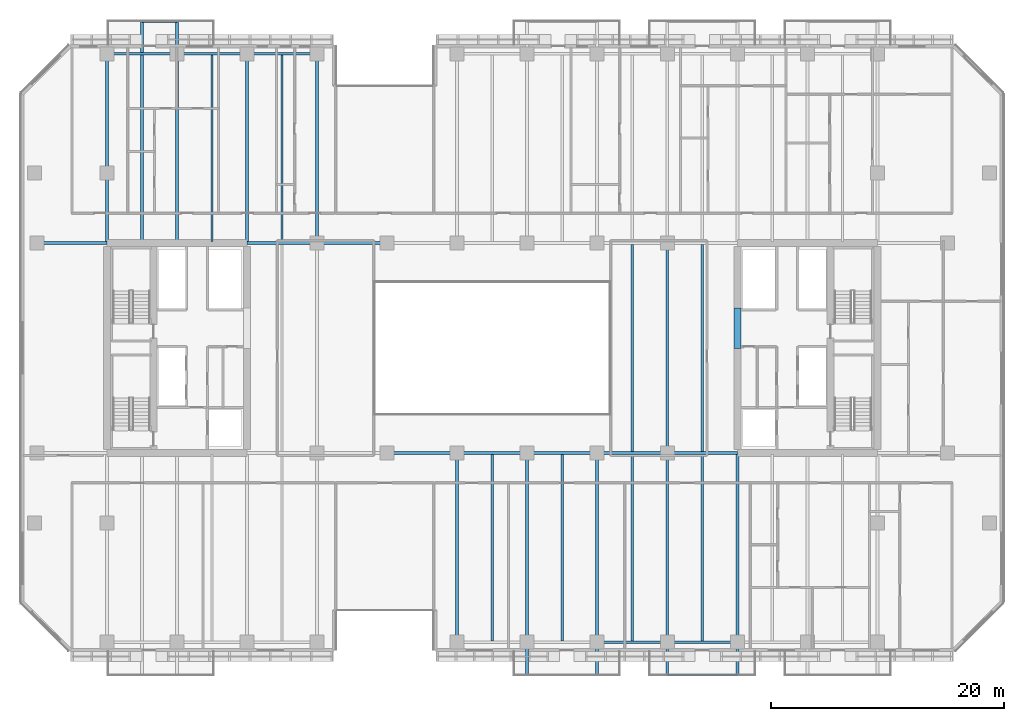
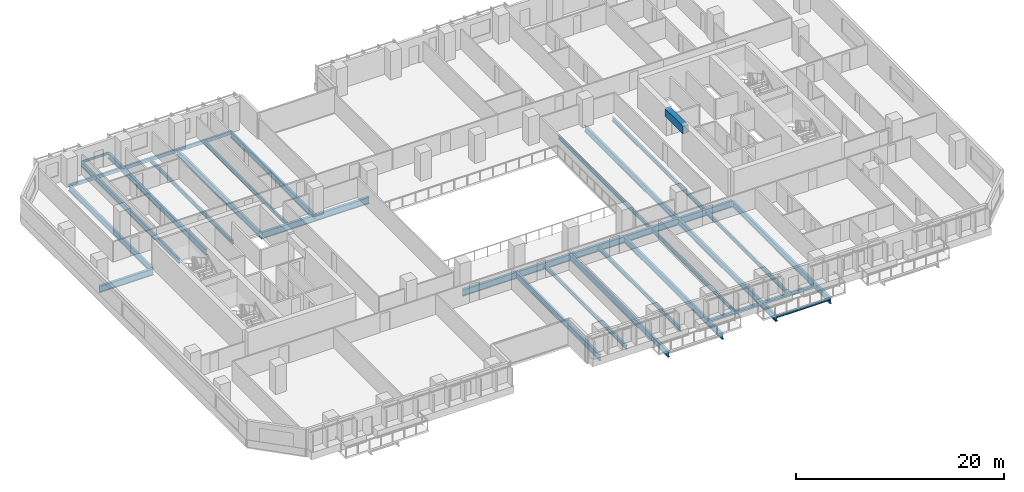
# One storey, part 5 of 25: 35 beams.
"""IFC4 building model written with IfcOpenShell, lengths in metres."""

from ifc_helpers import new_model, si_unit, direction, frame, origin, origin_2d, place, context, subcontext, project, spatial, rectangle, hollow_rectangle, i_section, extrude, material, material_profile, profile_set, type_object, element, save


model = new_model("IFC4")

# Units and contexts
model_context = context("Model", 3, precision=1e-05, world=origin(), true_north=direction((0.0, 1.0)))
body_context = subcontext(model_context, "Body", "Model", "MODEL_VIEW")
ifc_project = project(units=[si_unit("LENGTHUNIT", "METRE"), si_unit("AREAUNIT", "SQUARE_METRE"), si_unit("VOLUMEUNIT", "CUBIC_METRE"), si_unit("PLANEANGLEUNIT", "RADIAN"), si_unit("MASSUNIT", "GRAM", prefix="KILO")], contexts=[model_context])

# Site, building, storey
site_placement = place(None, origin())
site = spatial("IfcSite", under=ifc_project, at=site_placement, CompositionType="ELEMENT")
building_placement = place(site_placement, origin())
building = spatial("IfcBuilding", under=site, at=building_placement, Name="Tanjung Sevakor Pilgrim Tower", CompositionType="ELEMENT")
storey_placement = place(building_placement, frame((0.0, 0.0, 42.239990234375)))
storey = spatial("IfcBuildingStorey", under=building, at=storey_placement, Name="L11", CompositionType="ELEMENT", Elevation=42.239990234375)

# Beams
ifc_material_1 = material(Name="Steel S355J2", Category="steel")
ifc_material_profile_1 = material_profile(ifc_material_1, i_section(OverallWidth=0.26806640625, OverallDepth=0.769775390625, WebThickness=0.015625, FlangeThickness=0.025390625, FilletRadius=0.0166015625, at=origin_2d()))
ifc_profile_set_1 = profile_set([ifc_material_profile_1], Name="Steel S355J2")
beam_type_1 = type_object("IfcBeamType", Name="BM-B-G1-UB_762x267x197", PredefinedType="BEAM", material=ifc_profile_set_1)
for number, where, z_axis, x_axis, name in (
    (1, (48.0, 24.60009765625, -0.60498046875), (1.0, 0.0, 0.0), (0.0, 1.0, 0.0), "L11 Primary Floor Girder MAIN Y246-04"),
    (2, (54.0, 24.60009765625, -0.60498046875), (1.0, 0.0, 0.0), (0.0, 1.0, 0.0), "L11 Primary Floor Girder MAIN Y246-05"),
    (3, (60.0, 24.60009765625, -0.60498046875), (1.0, 0.0, 0.0), (0.0, 1.0, 0.0), "L11 Primary Floor Girder MAIN Y246-06"),
    (4, (66.0, 24.60009765625, -0.60498046875), (1.0, 0.0, 0.0), (0.0, 1.0, 0.0), "L11 Primary Floor Girder MAIN Y246-07"),
    (5, (72.0, 24.60009765625, -0.60498046875), (1.0, 0.0, 0.0), (0.0, 1.0, 0.0), "L11 Primary Floor Girder MAIN Y246-08"),
    (6, (18.0, 42.60009765625, -0.60498046875), (1.0, 0.0, 0.0), (0.0, 1.0, 0.0), "L11 Primary Floor Girder MAIN Y426-01"),
    (7, (36.0, 42.60009765625, -0.60498046875), (1.0, 0.0, 0.0), (0.0, 1.0, 0.0), "L11 Primary Floor Girder MAIN Y426-02"),
    (8, (42.0, 42.60009765625, -0.60498046875), (1.0, 0.0, 0.0), (0.0, 1.0, 0.0), "L11 Primary Floor Girder MAIN Y426-03"),
):
    element("IfcBeam", number, at=place(storey_placement, frame(where, z_axis=z_axis, x_axis=x_axis)), inside=storey, type_object=beam_type_1, Name=name, PredefinedType="BEAM", context=body_context, shape_type="SweptSolid", body=[
        extrude(i_section(OverallWidth=0.26806640625, OverallDepth=0.769775390625, WebThickness=0.015625, FlangeThickness=0.025390625, FilletRadius=0.0166015625, at=origin_2d()), origin(), (0.0, 0.0, 1.0), 6.0),
    ])
ifc_material_2 = material(Name="Steel S355J2", Category="steel")
ifc_material_profile_2 = material_profile(ifc_material_2, i_section(OverallWidth=0.25439453125, OverallDepth=0.6875, WebThickness=0.01318359375, FlangeThickness=0.02099609375, FilletRadius=0.01513671875, at=origin_2d()))
ifc_profile_set_2 = profile_set([ifc_material_profile_2], Name="Steel S355J2")
beam_type_2 = type_object("IfcBeamType", Name="BM-B-G2-UB_686x254x152", PredefinedType="BEAM", material=ifc_profile_set_2)
beam_1_placement = place(storey_placement, frame((24.0, 42.73388671875, -0.563720703125), z_axis=(0.0, 1.0, 0.0), x_axis=(-1.0, 0.0, 0.0)))
element("IfcBeam", 9, at=beam_1_placement, inside=storey, type_object=beam_type_2, Name="L11 MAIN Girder 002", PredefinedType="BEAM", context=body_context, shape_type="SweptSolid", body=[
    extrude(i_section(OverallWidth=0.25439453125, OverallDepth=0.6875, WebThickness=0.01318359375, FlangeThickness=0.02099609375, FilletRadius=0.01513671875, at=origin_2d()), origin(), (0.0, 0.0, 1.0), 16.066162109375),
])
beam_2_placement = place(storey_placement, frame((30.0, 42.73388671875, -0.563720703125), z_axis=(0.0, 1.0, 0.0), x_axis=(-1.0, 0.0, 0.0)))
element("IfcBeam", 10, at=beam_2_placement, inside=storey, type_object=beam_type_2, Name="L11 Balcony Cantilever Beam MAIN-N1-2", PredefinedType="BEAM", context=body_context, shape_type="SweptSolid", body=[
    extrude(i_section(OverallWidth=0.25439453125, OverallDepth=0.6875, WebThickness=0.01318359375, FlangeThickness=0.02099609375, FilletRadius=0.01513671875, at=origin_2d()), origin(), (0.0, 0.0, 1.0), 18.84619140625),
])
beam_3_placement = place(storey_placement, frame((36.0, 42.73388671875, -0.563720703125), z_axis=(0.0, 1.0, 0.0), x_axis=(-1.0, 0.0, 0.0)))
element("IfcBeam", 11, at=beam_3_placement, inside=storey, type_object=beam_type_2, Name="L11 MAIN Girder 006", PredefinedType="BEAM", context=body_context, shape_type="SweptSolid", body=[
    extrude(i_section(OverallWidth=0.25439453125, OverallDepth=0.6875, WebThickness=0.01318359375, FlangeThickness=0.02099609375, FilletRadius=0.01513671875, at=origin_2d()), origin(), (0.0, 0.0, 1.0), 16.066162109375),
])
beam_4_placement = place(storey_placement, frame((42.0, 42.60009765625, -0.563720703125), z_axis=(0.0, 1.0, 0.0), x_axis=(-1.0, 0.0, 0.0)))
element("IfcBeam", 12, at=beam_4_placement, inside=storey, type_object=beam_type_2, Name="L11 MAIN Girder 012", PredefinedType="BEAM", context=body_context, shape_type="SweptSolid", body=[
    extrude(i_section(OverallWidth=0.25439453125, OverallDepth=0.6875, WebThickness=0.01318359375, FlangeThickness=0.02099609375, FilletRadius=0.01513671875, at=origin_2d()), origin(), (0.0, 0.0, 1.0), 16.199951171875),
])
beam_5_placement = place(storey_placement, frame((54.0, 8.39990234375, -0.563720703125), z_axis=(0.0, 1.0, 0.0), x_axis=(-1.0, 0.0, 0.0)))
element("IfcBeam", 13, at=beam_5_placement, inside=storey, type_object=beam_type_2, Name="L11 MAIN Girder 013", PredefinedType="BEAM", context=body_context, shape_type="SweptSolid", body=[
    extrude(i_section(OverallWidth=0.25439453125, OverallDepth=0.6875, WebThickness=0.01318359375, FlangeThickness=0.02099609375, FilletRadius=0.01513671875, at=origin_2d()), origin(), (0.0, 0.0, 1.0), 16.2001953125),
])
for number, where, z_axis, x_axis, name in (
    (14, (60.0, 24.60009765625, -0.563720703125), (0.0, -1.0, 0.0), (1.0, 0.0, 0.0), "L11 Balcony Cantilever Beam MAIN-S2-1"),
    (15, (66.0, 24.60009765625, -0.563720703125), (0.0, -1.0, 0.0), (1.0, 0.0, 0.0), "L11 Balcony Cantilever Beam MAIN-S2-2"),
    (16, (72.0, 24.60009765625, -0.563720703125), (0.0, -1.0, 0.0), (1.0, 0.0, 0.0), "L11 Balcony Cantilever Beam MAIN-S3-1"),
):
    element("IfcBeam", number, at=place(storey_placement, frame(where, z_axis=z_axis, x_axis=x_axis)), inside=storey, type_object=beam_type_2, Name=name, PredefinedType="BEAM", context=body_context, shape_type="SweptSolid", body=[
        extrude(i_section(OverallWidth=0.25439453125, OverallDepth=0.6875, WebThickness=0.01318359375, FlangeThickness=0.02099609375, FilletRadius=0.01513671875, at=origin_2d()), origin(), (0.0, 0.0, 1.0), 18.97998046875),
    ])
beam_6_placement = place(storey_placement, frame((72.0, 24.60009765625, -0.563720703125), z_axis=(0.0, 1.0, 0.0), x_axis=(-1.0, 0.0, 0.0)))
element("IfcBeam", 17, at=beam_6_placement, inside=storey, type_object=beam_type_2, Name="L11 MAIN Girder 022", PredefinedType="BEAM", context=body_context, shape_type="SweptSolid", body=[
    extrude(i_section(OverallWidth=0.25439453125, OverallDepth=0.6875, WebThickness=0.01318359375, FlangeThickness=0.02099609375, FilletRadius=0.01513671875, at=origin_2d()), origin(), (0.0, 0.0, 1.0), 18.0),
])
beam_7_placement = place(storey_placement, frame((78.0, 24.466064453125, -0.563720703125), z_axis=(0.0, -1.0, 0.0), x_axis=(1.0, 0.0, 0.0)))
element("IfcBeam", 18, at=beam_7_placement, inside=storey, type_object=beam_type_2, Name="L11 Balcony Cantilever Beam MAIN-S3-2", PredefinedType="BEAM", context=body_context, shape_type="SweptSolid", body=[
    extrude(i_section(OverallWidth=0.25439453125, OverallDepth=0.6875, WebThickness=0.01318359375, FlangeThickness=0.02099609375, FilletRadius=0.01513671875, at=origin_2d()), origin(), (0.0, 0.0, 1.0), 18.845947265625),
])
ifc_material_3 = material(Name="Steel S355J2", Category="steel")
ifc_material_profile_3 = material_profile(ifc_material_3, i_section(OverallWidth=0.22900390625, OverallDepth=0.6123046875, WebThickness=0.011962890625, FlangeThickness=0.01953125, FilletRadius=0.0126953125, at=origin_2d()))
ifc_profile_set_3 = profile_set([ifc_material_profile_3], Name="Steel S355J2")
beam_type_3 = type_object("IfcBeamType", Name="BM-B-G4-UB_610x229x125", PredefinedType="BEAM", material=ifc_profile_set_3)
beam_8_placement = place(storey_placement, frame((27.0, 42.73388671875, -0.526123046875), z_axis=(0.0, 1.0, 0.0), x_axis=(-1.0, 0.0, 0.0)))
element("IfcBeam", 19, at=beam_8_placement, inside=storey, type_object=beam_type_3, Name="L11 Balcony Cantilever Beam MAIN-N1-1", PredefinedType="BEAM", context=body_context, shape_type="SweptSolid", body=[
    extrude(i_section(OverallWidth=0.22900390625, OverallDepth=0.6123046875, WebThickness=0.011962890625, FlangeThickness=0.01953125, FilletRadius=0.0126953125, at=origin_2d()), origin(), (0.0, 0.0, 1.0), 18.84619140625),
])
ifc_material_4 = material(Name="Steel S355J2", Category="steel")
ifc_material_profile_4 = material_profile(ifc_material_4, i_section(OverallWidth=0.19140625, OverallDepth=0.4599609375, WebThickness=0.010009765625, FlangeThickness=0.01611328125, FilletRadius=0.01025390625, at=origin_2d()))
ifc_profile_set_4 = profile_set([ifc_material_profile_4], Name="Steel S355J2")
beam_type_4 = type_object("IfcBeamType", Name="BM-B-J2-UB_457x191x82", PredefinedType="JOIST", material=ifc_profile_set_4)
for number, where, z_axis, x_axis, name in (
    (20, (33.0, 42.73388671875, -0.449951171875), (0.0, 1.0, 0.0), (-1.0, 0.0, 0.0), "L11 MAIN Joist 004"),
    (21, (39.0, 42.73388671875, -0.449951171875), (0.0, 1.0, 0.0), (-1.0, 0.0, 0.0), "L11 MAIN Joist 009"),
    (22, (57.0, 8.5, -0.449951171875), (0.0, 1.0, 0.0), (-1.0, 0.0, 0.0), "L11 MAIN Joist 015"),
    (23, (63.0, 8.5, -0.449951171875), (0.0, 1.0, 0.0), (-1.0, 0.0, 0.0), "L11 MAIN Joist 017"),
    (24, (69.0, 8.5, -0.449951171875), (0.0, 1.0, 0.0), (-1.0, 0.0, 0.0), "L11 MAIN Joist 019"),
):
    element("IfcBeam", number, at=place(storey_placement, frame(where, z_axis=z_axis, x_axis=x_axis)), inside=storey, type_object=beam_type_4, Name=name, PredefinedType="JOIST", context=body_context, shape_type="SweptSolid", body=[
        extrude(i_section(OverallWidth=0.19140625, OverallDepth=0.4599609375, WebThickness=0.010009765625, FlangeThickness=0.01611328125, FilletRadius=0.01025390625, at=origin_2d()), origin(), (0.0, 0.0, 1.0), 15.966064453125),
    ])
beam_9_placement = place(storey_placement, frame((69.0, 24.73388671875, -0.449951171875), z_axis=(0.0, 1.0, 0.0), x_axis=(-1.0, 0.0, 0.0)))
element("IfcBeam", 25, at=beam_9_placement, inside=storey, type_object=beam_type_4, Name="L11 MAIN Joist 020", PredefinedType="JOIST", context=body_context, shape_type="SweptSolid", body=[
    extrude(i_section(OverallWidth=0.19140625, OverallDepth=0.4599609375, WebThickness=0.010009765625, FlangeThickness=0.01611328125, FilletRadius=0.01025390625, at=origin_2d()), origin(), (0.0, 0.0, 1.0), 17.732177734375),
])
beam_10_placement = place(storey_placement, frame((75.0, 8.5, -0.449951171875), z_axis=(0.0, 1.0, 0.0), x_axis=(-1.0, 0.0, 0.0)))
element("IfcBeam", 26, at=beam_10_placement, inside=storey, type_object=beam_type_4, Name="L11 MAIN Joist 023", PredefinedType="JOIST", context=body_context, shape_type="SweptSolid", body=[
    extrude(i_section(OverallWidth=0.19140625, OverallDepth=0.4599609375, WebThickness=0.010009765625, FlangeThickness=0.01611328125, FilletRadius=0.01025390625, at=origin_2d()), origin(), (0.0, 0.0, 1.0), 15.966064453125),
])
beam_11_placement = place(storey_placement, frame((75.0, 24.73388671875, -0.449951171875), z_axis=(0.0, 1.0, 0.0), x_axis=(-1.0, 0.0, 0.0)))
element("IfcBeam", 27, at=beam_11_placement, inside=storey, type_object=beam_type_4, Name="L11 MAIN Joist 024", PredefinedType="JOIST", context=body_context, shape_type="SweptSolid", body=[
    extrude(i_section(OverallWidth=0.19140625, OverallDepth=0.4599609375, WebThickness=0.010009765625, FlangeThickness=0.01611328125, FilletRadius=0.01025390625, at=origin_2d()), origin(), (0.0, 0.0, 1.0), 17.732177734375),
])
ifc_material_5 = material(Name="Steel S355J2", Category="steel")
ifc_material_profile_5 = material_profile(ifc_material_5, i_section(OverallWidth=0.146484375, OverallDepth=0.256103515625, WebThickness=0.00634765625, FlangeThickness=0.010986328125, FilletRadius=0.007568359375, at=origin_2d()))
ifc_profile_set_5 = profile_set([ifc_material_profile_5], Name="Steel S355J2")
beam_type_5 = type_object("IfcBeamType", Name="BM-B-J6-UB_254x146x37", PredefinedType="JOIST", material=ifc_profile_set_5)
beam_12_placement = place(storey_placement, frame((27.0, 61.580078125, -0.327880859375), z_axis=(1.0, 0.0, 0.0), x_axis=(0.0, 1.0, 0.0)))
element("IfcBeam", 28, at=beam_12_placement, inside=storey, type_object=beam_type_5, Name="L11 Balcony Rim Tie MAIN-N1", PredefinedType="JOIST", context=body_context, shape_type="SweptSolid", body=[
    extrude(i_section(OverallWidth=0.146484375, OverallDepth=0.256103515625, WebThickness=0.00634765625, FlangeThickness=0.010986328125, FilletRadius=0.007568359375, at=origin_2d()), origin(), (0.0, 0.0, 1.0), 3.0),
])
beam_13_placement = place(storey_placement, frame((72.0, 5.6201171875, -0.327880859375), z_axis=(1.0, 0.0, 0.0), x_axis=(0.0, 1.0, 0.0)))
element("IfcBeam", 29, at=beam_13_placement, inside=storey, type_object=beam_type_5, Name="L11 Balcony Rim Tie MAIN-S3", PredefinedType="JOIST", context=body_context, shape_type="SweptSolid", body=[
    extrude(i_section(OverallWidth=0.146484375, OverallDepth=0.256103515625, WebThickness=0.00634765625, FlangeThickness=0.010986328125, FilletRadius=0.007568359375, at=origin_2d()), origin(), (0.0, 0.0, 1.0), 6.0),
])
ifc_material_6 = material(Name="Concrete C60/75", Category="concrete")
ifc_material_profile_6 = material_profile(ifc_material_6, rectangle(XDim=0.60009765625, YDim=0.89990234375, at=origin_2d()))
ifc_profile_set_6 = profile_set([ifc_material_profile_6], Name="Concrete C60/75")
beam_type_6 = type_object("IfcBeamType", Name="BM-B-LN1-RC-BM_600x900", PredefinedType="LINTEL", material=ifc_profile_set_6)
beam_14_placement = place(storey_placement, frame((78.0, 33.550048828125, 2.630126953125), z_axis=(0.0, 1.0, 0.0), x_axis=(-1.0, 0.0, 0.0)))
element("IfcBeam", 30, at=beam_14_placement, inside=storey, type_object=beam_type_6, Name="L11 E Core Coupling Lintel", PredefinedType="LINTEL", context=body_context, shape_type="SweptSolid", body=[
    extrude(rectangle(XDim=0.60009765625, YDim=0.89990234375, at=origin_2d()), origin(), (0.0, 0.0, 1.0), 3.5),
])
ifc_material_7 = material(Name="Steel S355J2", Category="steel")
ifc_material_profile_7 = material_profile(ifc_material_7, hollow_rectangle(XDim=0.199951171875, YDim=0.39990234375, WallThickness=0.01611328125, at=origin_2d()))
ifc_profile_set_7 = profile_set([ifc_material_profile_7], Name="Steel S355J2")
beam_type_7 = type_object("IfcBeamType", Name="BM-B-SP2-RHS_400x200x16", PredefinedType="SPANDREL", material=ifc_profile_set_7)
for number, where, z_axis, x_axis, name in (
    (31, (24.0, 58.800048828125, -0.419921875), (1.0, 0.0, 0.0), (0.0, 1.0, 0.0), "L11 Spandrel MAIN N-02"),
    (32, (30.0, 58.800048828125, -0.419921875), (1.0, 0.0, 0.0), (0.0, 1.0, 0.0), "L11 Spandrel MAIN N-04"),
    (33, (36.0, 58.800048828125, -0.419921875), (1.0, 0.0, 0.0), (0.0, 1.0, 0.0), "L11 Spandrel MAIN N-06"),
    (34, (66.0, 8.39990234375, -0.419921875), (1.0, 0.0, 0.0), (0.0, 1.0, 0.0), "L11 Spandrel MAIN S-11"),
    (35, (72.0, 8.39990234375, -0.419921875), (1.0, 0.0, 0.0), (0.0, 1.0, 0.0), "L11 Spandrel MAIN S-13"),
):
    element("IfcBeam", number, at=place(storey_placement, frame(where, z_axis=z_axis, x_axis=x_axis)), inside=storey, type_object=beam_type_7, Name=name, PredefinedType="SPANDREL", context=body_context, shape_type="SweptSolid", body=[
        extrude(hollow_rectangle(XDim=0.199951171875, YDim=0.39990234375, WallThickness=0.01611328125, at=origin_2d()), origin(), (0.0, 0.0, 1.0), 6.0),
    ])

save(model, "model.ifc")
